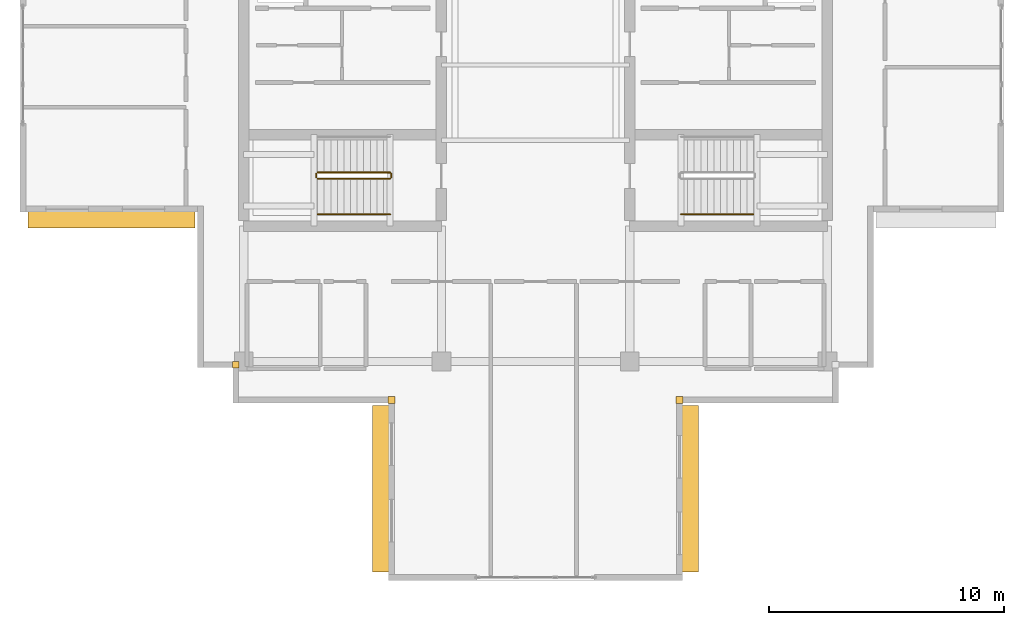
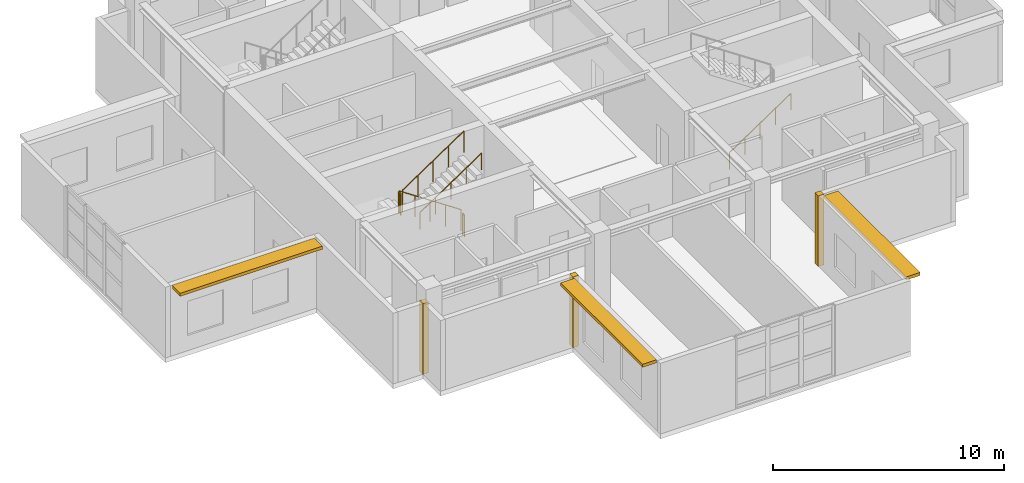
# One storey, part 14 of 16: 6 railings, 3 coverings, 3 shading devices.
"""IFC4 building model written with IfcOpenShell, lengths in metres."""

from ifc_helpers import new_model, si_unit, direction, frame, origin, origin_2d, place, context, subcontext, project, spatial, rectangle, circle, extrude, material, layer, layer_set, type_object, element, save


model = new_model("IFC4")

# Units and contexts
model_context = context("Model", 3, precision=1e-05, world=origin(), true_north=direction((0.0, 1.0)))
body_context = subcontext(model_context, "Body", "Model", "MODEL_VIEW")
ifc_project = project(units=[si_unit("LENGTHUNIT", "METRE"), si_unit("AREAUNIT", "SQUARE_METRE"), si_unit("VOLUMEUNIT", "CUBIC_METRE"), si_unit("PLANEANGLEUNIT", "RADIAN"), si_unit("MASSUNIT", "GRAM", prefix="KILO")], contexts=[model_context])

# Site, building, storey
site_placement = place(None, origin())
site = spatial("IfcSite", under=ifc_project, at=site_placement, CompositionType="ELEMENT")
building_placement = place(site_placement, origin())
building = spatial("IfcBuilding", under=site, at=building_placement, Name="Qingluan Cross Belvedere", CompositionType="ELEMENT")
storey_placement = place(building_placement, frame((0.0, 0.0, 308.39990234375)))
storey = spatial("IfcBuildingStorey", under=building, at=storey_placement, Name="L76", CompositionType="ELEMENT", Elevation=308.39990234375)

# Coverings
ifc_material_1 = material(Name="Precast concrete C45", Category="concrete")
ifc_layer_1 = layer(ifc_material_1, 0.1201171875, Name="ConcreteSpandrelCladding_120")
ifc_layer_set_1 = layer_set([ifc_layer_1], Name="Precast concrete C45")
covering_type = type_object("IfcCoveringType", Name="ConcreteSpandrelCladding_120", PredefinedType="CLADDING", material=ifc_layer_set_1)
for number, where, z_axis, x_axis, name in (
    (1, (-12.739990234375, -12.739990234375, 0.0), (0.0, 0.0, 1.0), (1.0, 0.0, 0.0), "Corner closure L76-SW1"),
    (2, (-6.1201171875, -14.239990234375, 0.0), (0.0, 0.0, 1.0), (1.0, 0.0, 0.0), "Corner closure L76-SW2"),
    (3, (6.1201171875, -14.239990234375, 0.0), (0.0, 0.0, 1.0), (1.0, 0.0, 0.0), "Corner closure L76-SE2"),
):
    element("IfcCovering", number, at=place(storey_placement, frame(where, z_axis=z_axis, x_axis=x_axis)), inside=storey, type_object=covering_type, Name=name, PredefinedType="CLADDING", context=body_context, shape_type="SweptSolid", body=[
        extrude(rectangle(XDim=0.2900390625, YDim=0.2900390625, at=origin_2d()), origin(), (0.0, 0.0, 1.0), 3.72998046875),
    ])

# Shading devices
ifc_material_2 = material(Name="Precast concrete C45", Category="concrete")
ifc_layer_2 = layer(ifc_material_2, 0.139892578125, Name="ConcreteSunshadeBand_700")
ifc_layer_set_2 = layer_set([ifc_layer_2], Name="Precast concrete C45")
shading_device_type = type_object("IfcShadingDeviceType", Name="ConcreteSunshadeBand_700", PredefinedType="USERDEFINED", material=ifc_layer_set_2)
for number, where, z_axis, x_axis, name in (
    (4, (-18.010009765625, -6.574951171875, 3.55029296875), (0.0, 0.0, 1.0), (1.0, 0.0, 0.0), "Concrete SUNSHADE L76-WB"),
    (5, (-6.574951171875, -18.010009765625, 3.55029296875), (0.0, 0.0, 1.0), (0.0, -1.0, 0.0), "Concrete SUNSHADE L76-SA"),
    (6, (6.574951171875, -18.010009765625, 3.55029296875), (0.0, 0.0, 1.0), (0.0, 1.0, 0.0), "Concrete SUNSHADE L76-SB"),
):
    element("IfcShadingDevice", number, at=place(storey_placement, frame(where, z_axis=z_axis, x_axis=x_axis)), inside=storey, type_object=shading_device_type, Name=name, ObjectType="SUNSHADE", PredefinedType="USERDEFINED", context=body_context, shape_type="SweptSolid", body=[
        extrude(rectangle(XDim=7.090087890625, YDim=0.699951171875, at=origin_2d()), origin(), (0.0, 0.0, 1.0), 0.159912109375),
    ])

# Railings
ifc_material_3 = material(Name="Brushed stainless steel tubular handrail", Category="steel")
railing_type_1 = type_object("IfcRailingType", Name="StairPitchHandrail_900", PredefinedType="HANDRAIL", material=ifc_material_3)
for number, where, name in (
    (7, (-9.260009765625, -6.35009765625, 2.4375), "L76 ST1 stair handrail 2"),
    (8, (6.179931640625, -6.35009765625, 0.1875), "L76 ST2 stair handrail 1"),
):
    element("IfcRailing", number, at=place(storey_placement, frame(where)), inside=storey, type_object=railing_type_1, Name=name, PredefinedType="HANDRAIL", context=body_context, shape_type="SweptSolid", body=[
        extrude(circle(Radius=0.02392578125, at=origin_2d()), frame((0.0, 0.0, 0.8759765625), z_axis=(0.830913701846, 0.0, 0.55640131208), x_axis=(0.0, 1.0, 0.0)), (0.0, 0.0, 1.0), 3.706787109375),
        extrude(circle(Radius=0.02099609375, at=origin_2d()), origin(), (0.0, 0.0, 1.0), 0.851806640625),
        extrude(circle(Radius=0.02099609375, at=origin_2d()), frame((0.77001953125, 0.0, 0.515625)), (0.0, 0.0, 1.0), 0.851806640625),
        extrude(circle(Radius=0.02099609375, at=origin_2d()), frame((1.5400390625, 0.0, 1.03125)), (0.0, 0.0, 1.0), 0.851806640625),
        extrude(circle(Radius=0.02099609375, at=origin_2d()), frame((2.31005859375, 0.0, 1.546875)), (0.0, 0.0, 1.0), 0.851806640625),
        extrude(circle(Radius=0.02099609375, at=origin_2d()), frame((3.080078125, 0.0, 2.0625)), (0.0, 0.0, 1.0), 0.851806640625),
    ])
ifc_material_4 = material(Name="Painted steel stair well guard", Category="steel")
railing_type_2 = type_object("IfcRailingType", Name="StairWellGuard_1150", PredefinedType="BALUSTRADE", material=ifc_material_4)
railing_1_placement = place(storey_placement, frame((-6.179931640625, -4.570068359375, 0.1875)))
element("IfcRailing", 9, at=railing_1_placement, inside=storey, type_object=railing_type_2, Name="L76 ST1 stair guard 1", PredefinedType="BALUSTRADE", context=body_context, shape_type="SweptSolid", body=[
    extrude(circle(Radius=0.02392578125, at=origin_2d()), frame((0.0, 0.0, 1.1259765625), z_axis=(-0.830913701846, 0.0, 0.55640131208), x_axis=(0.0, -1.0, 0.0)), (0.0, 0.0, 1.0), 3.706787109375),
    extrude(circle(Radius=0.02099609375, at=origin_2d()), origin(), (0.0, 0.0, 1.0), 1.101806640625),
    extrude(circle(Radius=0.02099609375, at=origin_2d()), frame((-0.77001953125, 0.0, 0.515625)), (0.0, 0.0, 1.0), 1.101806640625),
    extrude(circle(Radius=0.02099609375, at=origin_2d()), frame((-1.5400390625, 0.0, 1.03125)), (0.0, 0.0, 1.0), 1.101806640625),
    extrude(circle(Radius=0.02099609375, at=origin_2d()), frame((-2.31005859375, 0.0, 1.546875)), (0.0, 0.0, 1.0), 1.101806640625),
    extrude(circle(Radius=0.02099609375, at=origin_2d()), frame((-3.080078125, 0.0, 2.0625)), (0.0, 0.0, 1.0), 1.101806640625),
])
railing_2_placement = place(storey_placement, frame((-9.31005859375, -4.6201171875, 2.25)))
element("IfcRailing", 10, at=railing_2_placement, inside=storey, type_object=railing_type_2, Name="L76 ST1 stair guard 2", PredefinedType="BALUSTRADE", context=body_context, shape_type="SweptSolid", body=[
    extrude(circle(Radius=0.02392578125, at=origin_2d()), frame((0.0, 0.0, 1.1259765625), z_axis=(0.0, -1.0, 0.0), x_axis=(1.0, 0.0, 0.0)), (0.0, 0.0, 1.0), 0.159912109375),
    extrude(circle(Radius=0.02099609375, at=origin_2d()), origin(), (0.0, 0.0, 1.0), 1.101806640625),
    extrude(circle(Radius=0.02099609375, at=origin_2d()), frame((0.0, -0.159912109375, 0.0)), (0.0, 0.0, 1.0), 1.101806640625),
])
railing_3_placement = place(storey_placement, frame((-9.260009765625, -4.830078125, 2.4375)))
element("IfcRailing", 11, at=railing_3_placement, inside=storey, type_object=railing_type_2, Name="L76 ST1 stair guard 3", PredefinedType="BALUSTRADE", context=body_context, shape_type="SweptSolid", body=[
    extrude(circle(Radius=0.02392578125, at=origin_2d()), frame((0.0, 0.0, 1.1259765625), z_axis=(0.830913701846, 0.0, 0.55640131208), x_axis=(0.0, 1.0, 0.0)), (0.0, 0.0, 1.0), 3.706787109375),
    extrude(circle(Radius=0.02099609375, at=origin_2d()), origin(), (0.0, 0.0, 1.0), 1.101806640625),
    extrude(circle(Radius=0.02099609375, at=origin_2d()), frame((0.77001953125, 0.0, 0.515625)), (0.0, 0.0, 1.0), 1.101806640625),
    extrude(circle(Radius=0.02099609375, at=origin_2d()), frame((1.5400390625, 0.0, 1.03125)), (0.0, 0.0, 1.0), 1.101806640625),
    extrude(circle(Radius=0.02099609375, at=origin_2d()), frame((2.31005859375, 0.0, 1.546875)), (0.0, 0.0, 1.0), 1.101806640625),
    extrude(circle(Radius=0.02099609375, at=origin_2d()), frame((3.080078125, 0.0, 2.0625)), (0.0, 0.0, 1.0), 1.101806640625),
])
railing_4_placement = place(storey_placement, frame((-6.1298828125, -4.6201171875, 0.0)))
element("IfcRailing", 12, at=railing_4_placement, inside=storey, type_object=railing_type_2, Name="L76 ST1 stair guard 4", PredefinedType="BALUSTRADE", context=body_context, shape_type="SweptSolid", body=[
    extrude(circle(Radius=0.02392578125, at=origin_2d()), frame((0.0, 0.0, 1.1259765625), z_axis=(0.0, -1.0, 0.0), x_axis=(1.0, 0.0, 0.0)), (0.0, 0.0, 1.0), 0.159912109375),
    extrude(circle(Radius=0.02099609375, at=origin_2d()), origin(), (0.0, 0.0, 1.0), 1.101806640625),
    extrude(circle(Radius=0.02099609375, at=origin_2d()), frame((0.0, -0.159912109375, 0.0)), (0.0, 0.0, 1.0), 1.101806640625),
])

save(model, "model.ifc")
